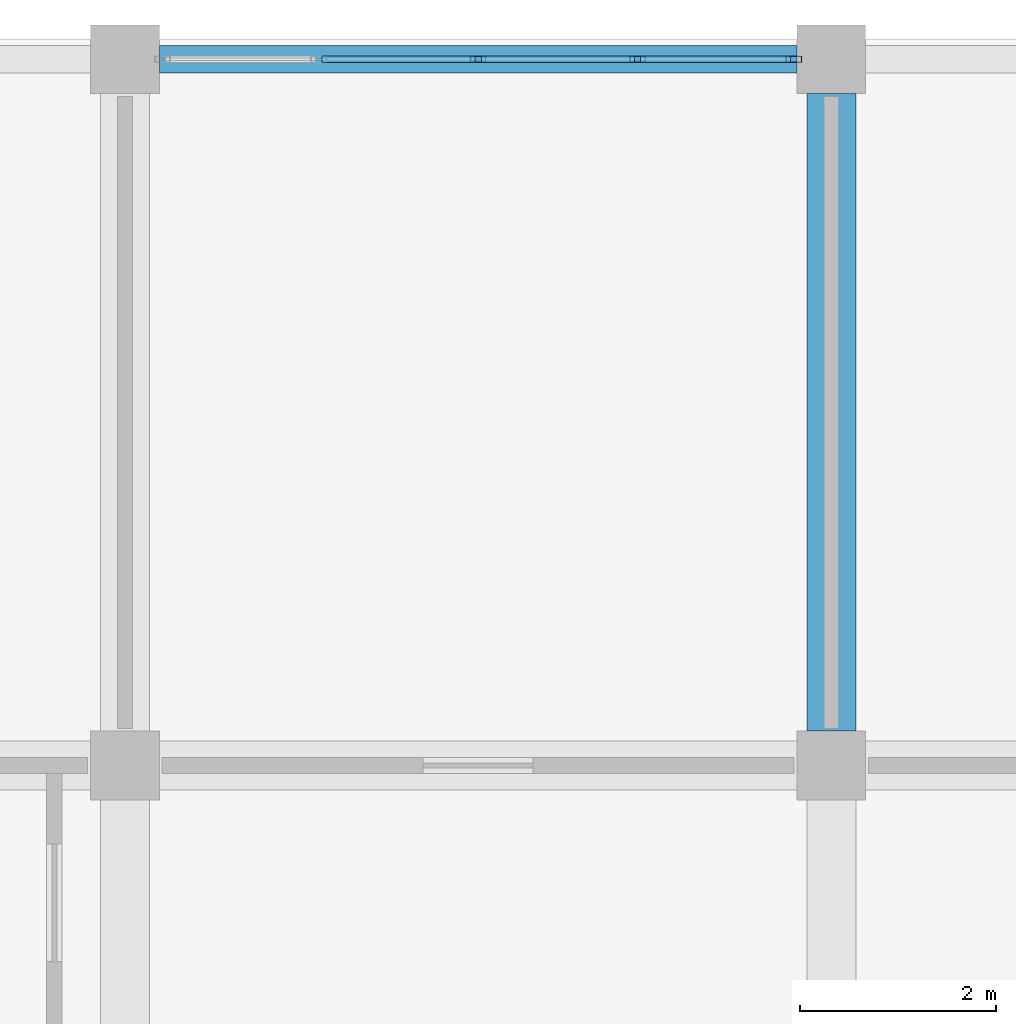
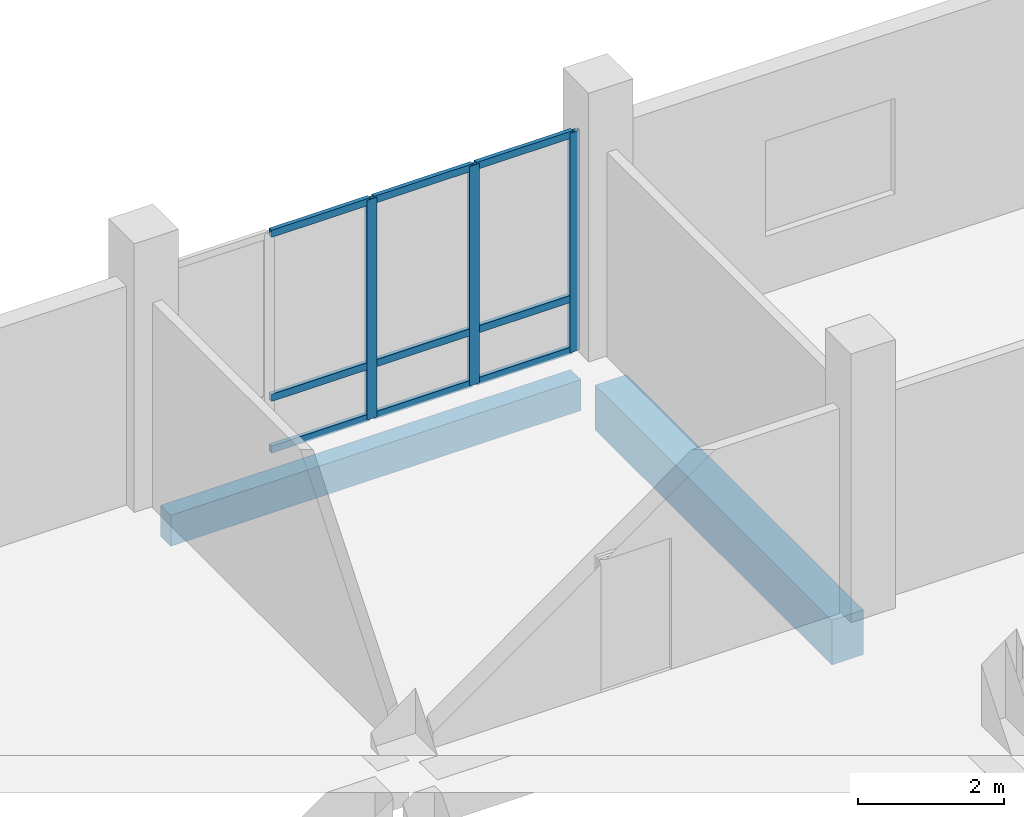
# One storey, part 96 of 139: 12 members, 2 beams, 1 element without a shape of its own.
"""IFC4 building model written with IfcOpenShell, lengths in metres."""

from ifc_helpers import new_model, si_unit, direction, frame, origin, origin_2d, place, context, subcontext, project, spatial, rectangle, hollow_rectangle, extrude, material, material_profile, profile_set, type_object, element, aggregate, save


model = new_model("IFC4")

# Units and contexts
model_context = context("Model", 3, precision=1e-05, world=origin(), true_north=direction((0.0, 1.0)))
body_context = subcontext(model_context, "Body", "Model", "MODEL_VIEW")
ifc_project = project(units=[si_unit("LENGTHUNIT", "METRE"), si_unit("AREAUNIT", "SQUARE_METRE"), si_unit("VOLUMEUNIT", "CUBIC_METRE"), si_unit("PLANEANGLEUNIT", "RADIAN"), si_unit("MASSUNIT", "GRAM", prefix="KILO")], contexts=[model_context])

# Site, building, storey
site_placement = place(None, origin())
site = spatial("IfcSite", under=ifc_project, at=site_placement, CompositionType="ELEMENT")
building_placement = place(site_placement, origin())
building = spatial("IfcBuilding", under=site, at=building_placement, Name="Suanplinth Sawtooth Commons", CompositionType="ELEMENT")
storey_placement = place(building_placement, origin())
storey = spatial("IfcBuildingStorey", under=building, at=storey_placement, Name="L00", CompositionType="ELEMENT", Elevation=0.0)

# Beams
ifc_material_1 = material(Name="Concrete C40/50", Category="concrete")
ifc_material_profile_1 = material_profile(ifc_material_1, rectangle(XDim=0.5, YDim=0.75, at=origin_2d()), Name="RC-GDR 500x750")
ifc_profile_set_1 = profile_set([ifc_material_profile_1], Name="Concrete C40/50")
beam_type_1 = type_object("IfcBeamType", Name="B-03", PredefinedType="USERDEFINED", material=ifc_profile_set_1)
beam_1_placement = place(storey_placement, frame((158.39990234375, 115.550048828125, -0.794921875), z_axis=(0.0, 1.0, 0.0), x_axis=(-1.0, 0.0, 0.0)))
element("IfcBeam", 1, at=beam_1_placement, inside=storey, type_object=beam_type_1, Name="BMY-L00-B-22-16", ObjectType="GIRDER", PredefinedType="USERDEFINED", context=body_context, shape_type="SweptSolid", body=[
    extrude(rectangle(XDim=0.5, YDim=0.75, at=origin_2d()), origin(), (0.0, 0.0, 1.0), 6.5),
])
ifc_material_2 = material(Name="Precast concrete C40/50", Category="concrete")
ifc_material_profile_2 = material_profile(ifc_material_2, rectangle(XDim=0.280029296875, YDim=0.52001953125, at=origin_2d()), Name="PC-SP 280x520")
ifc_profile_set_2 = profile_set([ifc_material_profile_2], Name="Precast concrete C40/50")
beam_type_2 = type_object("IfcBeamType", Name="B-08", PredefinedType="SPANDREL", material=ifc_profile_set_2)
beam_2_placement = place(storey_placement, frame((151.550048828125, 122.39990234375, -0.679931640625), z_axis=(1.0, 0.0, 0.0), x_axis=(0.0, 1.0, 0.0)))
element("IfcBeam", 2, at=beam_2_placement, inside=storey, type_object=beam_type_2, Name="BMX-L00-B-21-17", PredefinedType="SPANDREL", context=body_context, shape_type="SweptSolid", body=[
    extrude(rectangle(XDim=0.280029296875, YDim=0.52001953125, at=origin_2d()), origin(), (0.0, 0.0, 1.0), 6.5),
])

# Curtain wall, members
ifc_material_3 = material(Name="Anodized aluminium and low-E glazing", Category="aluminium")
curtain_wall_type = type_object("IfcCurtainWallType", Name="CW-04", PredefinedType="USERDEFINED", material=ifc_material_3)
curtain_wall_placement = place(storey_placement, origin())
curtain_wall = element("IfcCurtainWall", 3, at=curtain_wall_placement, inside=storey, type_object=curtain_wall_type, Name="Curtain Wall CW-L00-B-N-21", ObjectType="CURTAIN WALL", PredefinedType="USERDEFINED")
ifc_material_4 = material(Name="Anodized aluminium 6063-T6", Category="aluminium")
ifc_material_profile_3 = material_profile(ifc_material_4, hollow_rectangle(XDim=0.06494140625, YDim=0.159912109375, WallThickness=0.00390625, at=origin_2d()), Name="ALU-MUL 65x160")
ifc_profile_set_3 = profile_set([ifc_material_profile_3], Name="Anodized aluminium 6063-T6")
member_type_1 = type_object("IfcMemberType", Name="M-13", PredefinedType="MULLION", material=ifc_profile_set_3)
member_1_placement = place(storey_placement, frame((154.800048828125, 122.39990234375, 0.0), z_axis=(0.0, 0.0, 1.0), x_axis=(0.0, 1.0, 0.0)))
member_1 = element("IfcMember", 4, at=member_1_placement, type_object=member_type_1, Name="CW-04 mullion 3", PredefinedType="MULLION", context=body_context, shape_type="SweptSolid", body=[
    extrude(hollow_rectangle(XDim=0.06494140625, YDim=0.159912109375, WallThickness=0.00390625, at=origin_2d()), origin(), (0.0, 0.0, 1.0), 3.679931640625),
])
member_2_placement = place(storey_placement, frame((156.425048828125, 122.39990234375, 0.0), z_axis=(0.0, 0.0, 1.0), x_axis=(0.0, 1.0, 0.0)))
member_2 = element("IfcMember", 5, at=member_2_placement, type_object=member_type_1, Name="CW-04 mullion 4", PredefinedType="MULLION", context=body_context, shape_type="SweptSolid", body=[
    extrude(hollow_rectangle(XDim=0.06494140625, YDim=0.159912109375, WallThickness=0.00390625, at=origin_2d()), origin(), (0.0, 0.0, 1.0), 3.679931640625),
])
member_3_placement = place(storey_placement, frame((158.017578125, 122.39990234375, 0.0), z_axis=(0.0, 0.0, 1.0), x_axis=(0.0, 1.0, 0.0)))
member_3 = element("IfcMember", 6, at=member_3_placement, type_object=member_type_1, Name="CW-04 mullion 5", PredefinedType="MULLION", context=body_context, shape_type="SweptSolid", body=[
    extrude(hollow_rectangle(XDim=0.06494140625, YDim=0.159912109375, WallThickness=0.00390625, at=origin_2d()), origin(), (0.0, 0.0, 1.0), 3.679931640625),
])
ifc_material_profile_4 = material_profile(ifc_material_4, hollow_rectangle(XDim=0.06494140625, YDim=0.1201171875, WallThickness=0.00390625, at=origin_2d()), Name="ALU-TRN 65x120")
ifc_profile_set_4 = profile_set([ifc_material_profile_4], Name="Anodized aluminium 6063-T6")
member_type_2 = type_object("IfcMemberType", Name="M-15", PredefinedType="USERDEFINED", material=ifc_profile_set_4)
member_4_placement = place(storey_placement, frame((153.20751953125, 122.39990234375, 0.032470703125), z_axis=(1.0, 0.0, 0.0), x_axis=(0.0, 1.0, 0.0)))
member_4 = element("IfcMember", 7, at=member_4_placement, type_object=member_type_2, Name="CW-04 transom 2.1", ObjectType="TRANSOM", PredefinedType="USERDEFINED", context=body_context, shape_type="SweptSolid", body=[
    extrude(hollow_rectangle(XDim=0.06494140625, YDim=0.1201171875, WallThickness=0.00390625, at=origin_2d()), origin(), (0.0, 0.0, 1.0), 1.56005859375),
])
member_5_placement = place(storey_placement, frame((153.20751953125, 122.39990234375, 0.89990234375), z_axis=(1.0, 0.0, 0.0), x_axis=(0.0, 1.0, 0.0)))
member_5 = element("IfcMember", 8, at=member_5_placement, type_object=member_type_2, Name="CW-04 transom 2.2", ObjectType="TRANSOM", PredefinedType="USERDEFINED", context=body_context, shape_type="SweptSolid", body=[
    extrude(hollow_rectangle(XDim=0.06494140625, YDim=0.1201171875, WallThickness=0.00390625, at=origin_2d()), origin(), (0.0, 0.0, 1.0), 1.56005859375),
])
member_6_placement = place(storey_placement, frame((153.20751953125, 122.39990234375, 3.6474609375), z_axis=(1.0, 0.0, 0.0), x_axis=(0.0, 1.0, 0.0)))
member_6 = element("IfcMember", 9, at=member_6_placement, type_object=member_type_2, Name="CW-04 transom 2.3", ObjectType="TRANSOM", PredefinedType="USERDEFINED", context=body_context, shape_type="SweptSolid", body=[
    extrude(hollow_rectangle(XDim=0.06494140625, YDim=0.1201171875, WallThickness=0.00390625, at=origin_2d()), origin(), (0.0, 0.0, 1.0), 1.56005859375),
])
member_7_placement = place(storey_placement, frame((154.83251953125, 122.39990234375, 0.032470703125), z_axis=(1.0, 0.0, 0.0), x_axis=(0.0, 1.0, 0.0)))
member_7 = element("IfcMember", 10, at=member_7_placement, type_object=member_type_2, Name="CW-04 transom 3.1", ObjectType="TRANSOM", PredefinedType="USERDEFINED", context=body_context, shape_type="SweptSolid", body=[
    extrude(hollow_rectangle(XDim=0.06494140625, YDim=0.1201171875, WallThickness=0.00390625, at=origin_2d()), origin(), (0.0, 0.0, 1.0), 1.56005859375),
])
member_8_placement = place(storey_placement, frame((154.83251953125, 122.39990234375, 0.89990234375), z_axis=(1.0, 0.0, 0.0), x_axis=(0.0, 1.0, 0.0)))
member_8 = element("IfcMember", 11, at=member_8_placement, type_object=member_type_2, Name="CW-04 transom 3.2", ObjectType="TRANSOM", PredefinedType="USERDEFINED", context=body_context, shape_type="SweptSolid", body=[
    extrude(hollow_rectangle(XDim=0.06494140625, YDim=0.1201171875, WallThickness=0.00390625, at=origin_2d()), origin(), (0.0, 0.0, 1.0), 1.56005859375),
])
member_9_placement = place(storey_placement, frame((154.83251953125, 122.39990234375, 3.6474609375), z_axis=(1.0, 0.0, 0.0), x_axis=(0.0, 1.0, 0.0)))
member_9 = element("IfcMember", 12, at=member_9_placement, type_object=member_type_2, Name="CW-04 transom 3.3", ObjectType="TRANSOM", PredefinedType="USERDEFINED", context=body_context, shape_type="SweptSolid", body=[
    extrude(hollow_rectangle(XDim=0.06494140625, YDim=0.1201171875, WallThickness=0.00390625, at=origin_2d()), origin(), (0.0, 0.0, 1.0), 1.56005859375),
])
member_10_placement = place(storey_placement, frame((156.45751953125, 122.39990234375, 0.032470703125), z_axis=(1.0, 0.0, 0.0), x_axis=(0.0, 1.0, 0.0)))
member_10 = element("IfcMember", 13, at=member_10_placement, type_object=member_type_2, Name="CW-04 transom 4.1", ObjectType="TRANSOM", PredefinedType="USERDEFINED", context=body_context, shape_type="SweptSolid", body=[
    extrude(hollow_rectangle(XDim=0.06494140625, YDim=0.1201171875, WallThickness=0.00390625, at=origin_2d()), origin(), (0.0, 0.0, 1.0), 1.527587890625),
])
member_11_placement = place(storey_placement, frame((156.45751953125, 122.39990234375, 0.89990234375), z_axis=(1.0, 0.0, 0.0), x_axis=(0.0, 1.0, 0.0)))
member_11 = element("IfcMember", 14, at=member_11_placement, type_object=member_type_2, Name="CW-04 transom 4.2", ObjectType="TRANSOM", PredefinedType="USERDEFINED", context=body_context, shape_type="SweptSolid", body=[
    extrude(hollow_rectangle(XDim=0.06494140625, YDim=0.1201171875, WallThickness=0.00390625, at=origin_2d()), origin(), (0.0, 0.0, 1.0), 1.527587890625),
])
member_12_placement = place(storey_placement, frame((156.45751953125, 122.39990234375, 3.6474609375), z_axis=(1.0, 0.0, 0.0), x_axis=(0.0, 1.0, 0.0)))
member_12 = element("IfcMember", 15, at=member_12_placement, type_object=member_type_2, Name="CW-04 transom 4.3", ObjectType="TRANSOM", PredefinedType="USERDEFINED", context=body_context, shape_type="SweptSolid", body=[
    extrude(hollow_rectangle(XDim=0.06494140625, YDim=0.1201171875, WallThickness=0.00390625, at=origin_2d()), origin(), (0.0, 0.0, 1.0), 1.527587890625),
])
aggregate(curtain_wall, [member_1, member_2, member_3, member_4, member_5, member_6, member_7, member_8, member_9, member_10, member_11, member_12])

save(model, "model.ifc")
